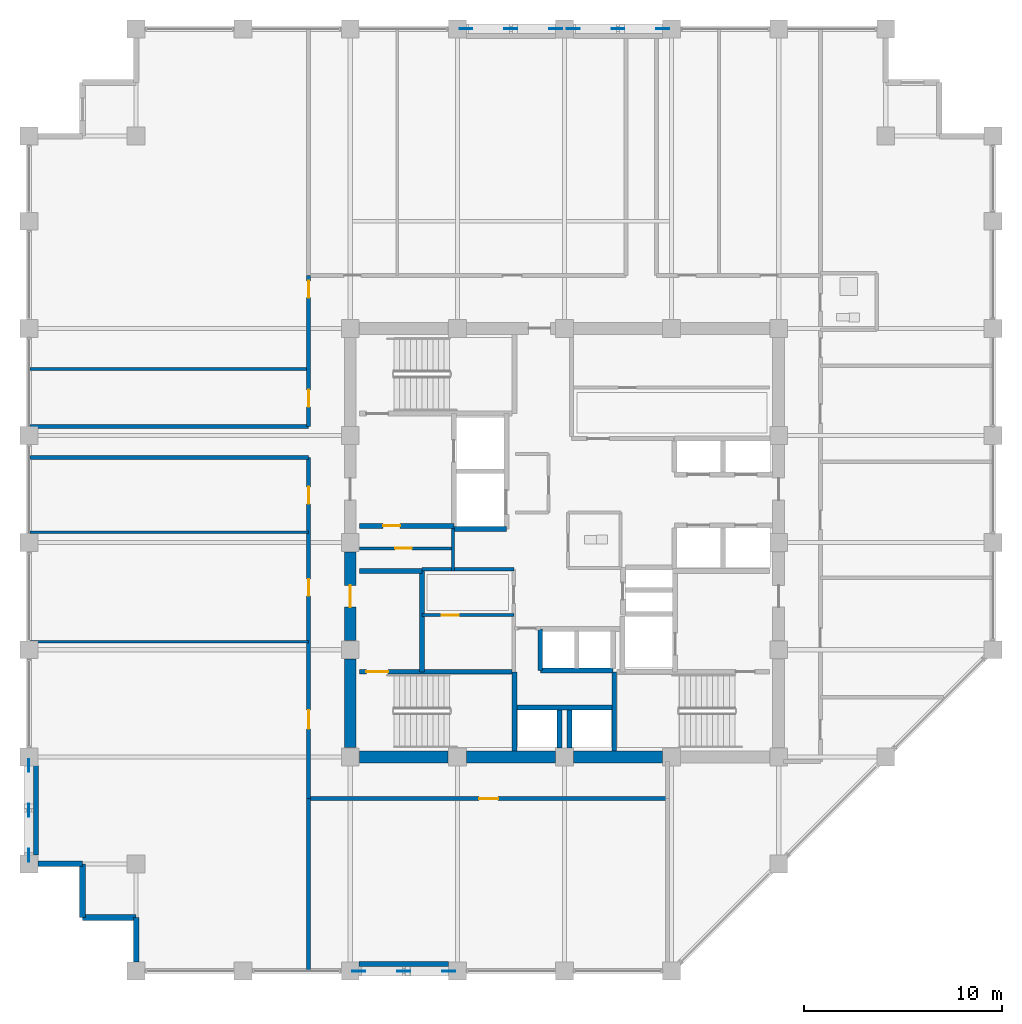
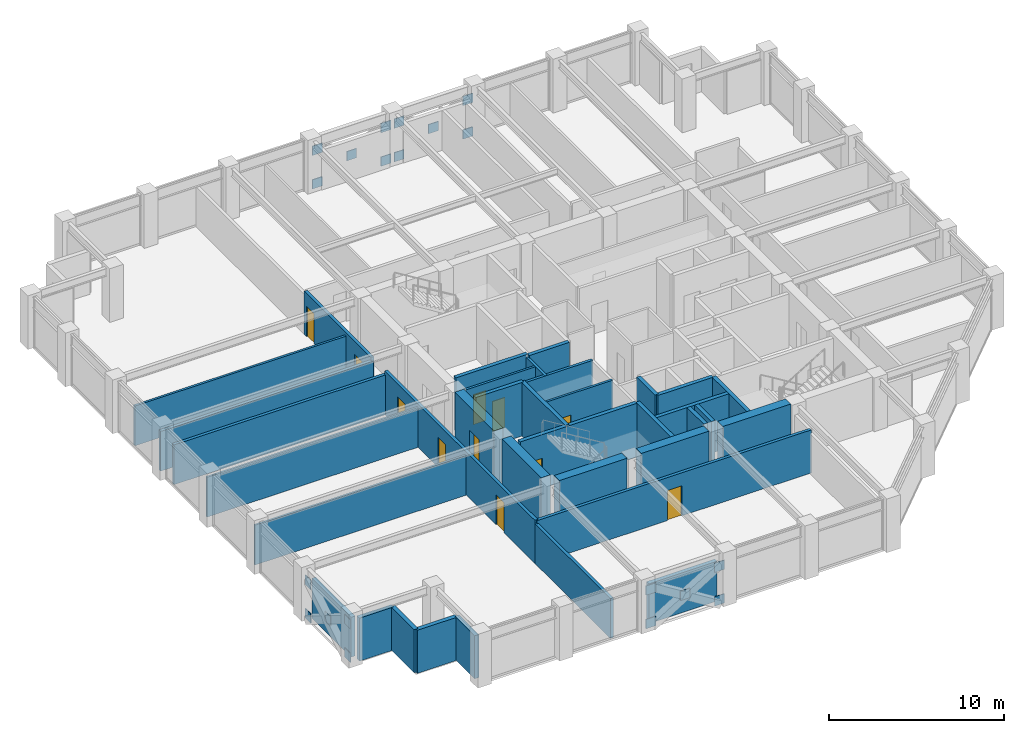
# One storey, part 27 of 32: 36 walls, 20 plates, 11 doors, 11 openings.
"""IFC4 building model written with IfcOpenShell, lengths in metres."""

import ifcopenshell
import ifcopenshell.guid

model = None  # the IFC model being written
_history = None  # IfcOwnerHistory: only IFC2X3 demands one
_inside = {}  # id of a spatial element -> (the spatial element, [elements in it])
_under = {}  # id of a project, library or spatial element -> (it, [spatial elements below it])
_declared = {}  # id of a project -> (the project, [libraries it declares])
_typed = {}  # id of a type object -> (the type object, [elements of that type])
_made_of = {}  # id of a material, layer set ... -> (it, [elements and type objects made of it])


def new_model(schema):
    """Start an empty IFC model of exactly this schema.

    Asked for "IFC4X3", IfcOpenShell would pick the latest addendum, in which some entities
    have other attributes; the version numbers below select the first issue.
    IFC2X3 requires an IfcOwnerHistory on every rooted entity: one is made here for all.
    """
    global model, _history
    if schema == "IFC4X3":
        model = ifcopenshell.file(schema_version=(4, 3, 0, 0))
    else:
        model = ifcopenshell.file(schema=schema)
    _inside.clear()
    _under.clear()
    _declared.clear()
    _typed.clear()
    _made_of.clear()
    _history = None
    if model.schema == "IFC2X3":
        org = make("IfcOrganization", Name="unknown")
        user = make(
            "IfcPersonAndOrganization",
            ThePerson=make("IfcPerson", FamilyName="unknown"),
            TheOrganization=org,
        )
        app = make(
            "IfcApplication",
            ApplicationDeveloper=org,
            Version="unknown",
            ApplicationFullName="unknown",
            ApplicationIdentifier="unknown",
        )
        _history = make(
            "IfcOwnerHistory",
            OwningUser=user,
            OwningApplication=app,
            ChangeAction="ADDED",
            CreationDate=0,
        )
    return model


def make(cls, **values):
    """One entity of the class cls with the attributes given. An attribute that is None is left unset."""
    return model.create_entity(
        cls, **{name: value for name, value in values.items() if value is not None}
    )


def rooted(cls, **values):
    """An entity with a GlobalId (a new one), such as an element, a storey or a relation."""
    return make(cls, GlobalId=ifcopenshell.guid.new(), OwnerHistory=_history, **values)


def si_unit(unit_type, name, prefix=None):
    """IfcSIUnit, for example si_unit("LENGTHUNIT", "METRE", prefix="MILLI")."""
    return make("IfcSIUnit", UnitType=unit_type, Prefix=prefix, Name=name)


def assignment(units):
    """IfcUnitAssignment: the units of a project."""
    return None if units is None else make("IfcUnitAssignment", Units=units)


def point(xyz):
    """IfcCartesianPoint."""
    return None if xyz is None else make("IfcCartesianPoint", Coordinates=xyz)


def direction(xyz):
    """IfcDirection."""
    return None if xyz is None else make("IfcDirection", DirectionRatios=xyz)


def frame(location, z_axis=None, x_axis=None):
    """IfcAxis2Placement3D, a coordinate frame: its origin and axes. An axis left out is left unset."""
    return make(
        "IfcAxis2Placement3D",
        Location=point(location),
        Axis=direction(z_axis),
        RefDirection=direction(x_axis),
    )


def frame_2d(location, x_axis=None):
    """IfcAxis2Placement2D, a coordinate frame in the plane: its origin and x axis."""
    return make(
        "IfcAxis2Placement2D", Location=point(location), RefDirection=direction(x_axis)
    )


def origin():
    """The frame at (0, 0, 0) with its axes left unset."""
    return frame((0.0, 0.0, 0.0))


def origin_2d():
    """The frame at (0, 0) in the plane with its x axis left unset."""
    return frame_2d((0.0, 0.0))


def place(relative_to, where):
    """IfcLocalPlacement: puts the frame where relative to a parent placement (None: the world)."""
    return make(
        "IfcLocalPlacement", PlacementRelTo=relative_to, RelativePlacement=where
    )


def context(
    kind, dimensions, precision=None, world=None, true_north=None, identifier=None
):
    """IfcGeometricRepresentationContext, for example the 3D "Model" context."""
    return make(
        "IfcGeometricRepresentationContext",
        ContextIdentifier=identifier,
        ContextType=kind,
        CoordinateSpaceDimension=dimensions,
        Precision=precision,
        WorldCoordinateSystem=world,
        TrueNorth=true_north,
    )


def subcontext(parent, identifier, kind, view, scale=None):
    """IfcGeometricRepresentationSubContext, for example "Body" below "Model"."""
    return make(
        "IfcGeometricRepresentationSubContext",
        ContextIdentifier=identifier,
        ContextType=kind,
        ParentContext=parent,
        TargetScale=scale,
        TargetView=view,
    )


def project(units=None, contexts=None):
    """IfcProject with its units and contexts."""
    return rooted(
        "IfcProject",
        Name="project",
        RepresentationContexts=contexts,
        UnitsInContext=assignment(units),
    )


def spatial(cls, under=None, at=None, **own):
    """A site, building, storey or space (cls), placed at a placement, below another one or the project."""
    s = rooted(cls, ObjectPlacement=at, **own)
    if under is not None:
        _under.setdefault(under.id(), (under, []))[1].append(s)
    return s


def profile(cls, at=None, kind="AREA", **sizes):
    """A parametric profile (cls). Its sizes go by their IFC names, for example OverallWidth=200.0."""
    return make(cls, ProfileType=kind, Position=at, **sizes)


def rectangle(**sizes):
    """IfcRectangleProfileDef."""
    return profile("IfcRectangleProfileDef", **sizes)


def extrude(swept, where, along, depth):
    """IfcExtrudedAreaSolid: the profile swept, set in the frame where, extruded along a direction by depth."""
    return make(
        "IfcExtrudedAreaSolid",
        SweptArea=swept,
        Position=where,
        ExtrudedDirection=direction(along),
        Depth=depth,
    )


def shape(context_of_items, identifier, shape_type, items):
    """IfcShapeRepresentation: the items that make up one representation, for example the "Body"."""
    return make(
        "IfcShapeRepresentation",
        ContextOfItems=context_of_items,
        RepresentationIdentifier=identifier,
        RepresentationType=shape_type,
        Items=items,
    )


def material(Name=None, Category=None):
    """IfcMaterial."""
    return make("IfcMaterial", Name=Name, Category=Category)


def layer(
    of_material, thickness, ventilated=None, Name=None, Category=None, Priority=None
):
    """IfcMaterialLayer: one layer of a wall or slab, of a material (None: an air gap)."""
    return make(
        "IfcMaterialLayer",
        Material=of_material,
        LayerThickness=thickness,
        IsVentilated=ventilated,
        Name=Name,
        Category=Category,
        Priority=Priority,
    )


def layer_set(layers, Name=None):
    """IfcMaterialLayerSet."""
    return make("IfcMaterialLayerSet", MaterialLayers=layers, LayerSetName=Name)


def made_of(thing, what):
    """Note that an element or type object is made of a material, layer set ...; save() writes the relation."""
    if what is not None:
        _made_of.setdefault(what.id(), (what, []))[1].append(thing)
    return thing


def type_object(cls, material=None, **own):
    """A type object (cls), such as IfcWallType, which elements share."""
    return made_of(rooted(cls, **own), material)


def element(
    cls,
    number,
    at=None,
    inside=None,
    cuts=None,
    type_object=None,
    material=None,
    context=None,
    identifier="Body",
    shape_type=None,
    held_by="IfcProductDefinitionShape",
    body=None,
    shapes=None,
    **own,
):
    """One element of the class cls, such as IfcWall. Its Tag is "e" and its number.

    at: its placement. inside: the storey or other place that contains it. cuts: it is an
    opening in that element (IfcRelVoidsElement). A single representation is given by context,
    identifier, shape_type and body (its items); several are given by shapes. held_by: the class
    of the entity that holds the representations. save() writes the other relations.
    """
    e = rooted(cls, Tag="e%d" % number, ObjectPlacement=at, **own)
    if body is not None:
        shapes = [shape(context, identifier, shape_type, body)]
    if shapes is not None:
        e.Representation = make(held_by, Representations=shapes)
    if inside is not None:
        _inside.setdefault(inside.id(), (inside, []))[1].append(e)
    if cuts is not None:
        rooted(
            "IfcRelVoidsElement", RelatingBuildingElement=cuts, RelatedOpeningElement=e
        )
    if type_object is not None:
        _typed.setdefault(type_object.id(), (type_object, []))[1].append(e)
    return made_of(e, material)


def fill(opening, filler):
    """IfcRelFillsElement: the door or window that sits in an opening."""
    return rooted(
        "IfcRelFillsElement",
        RelatingOpeningElement=opening,
        RelatedBuildingElement=filler,
    )


def aggregate(whole, parts):
    """IfcRelAggregates: a whole, such as a stair, and the parts it consists of."""
    return rooted("IfcRelAggregates", RelatingObject=whole, RelatedObjects=parts)


def save(model, path):
    """Write the relations noted so far, then the file.

    IfcRelAggregates (storeys below a building ...), IfcRelContainedInSpatialStructure (elements
    in a storey), IfcRelDefinesByType, IfcRelAssociatesMaterial and IfcRelDeclares: one each for
    every whole, place, type object, material and project.
    """
    for whole, parts in _under.values():
        aggregate(whole, parts)
    for where, things in _inside.values():
        rooted(
            "IfcRelContainedInSpatialStructure",
            RelatedElements=things,
            RelatingStructure=where,
        )
    for kind, things in _typed.values():
        rooted("IfcRelDefinesByType", RelatedObjects=things, RelatingType=kind)
    for what, things in _made_of.values():
        rooted("IfcRelAssociatesMaterial", RelatedObjects=things, RelatingMaterial=what)
    for by, libraries in _declared.values():
        rooted("IfcRelDeclares", RelatingContext=by, RelatedDefinitions=libraries)
    model.write(path)


model = new_model("IFC4")

# Units and contexts
model_context = context("Model", 3, precision=1e-05, world=origin(), true_north=direction((0.0, 1.0)))
body_context = subcontext(model_context, "Body", "Model", "MODEL_VIEW")
ifc_project = project(units=[si_unit("LENGTHUNIT", "METRE"), si_unit("AREAUNIT", "SQUARE_METRE"), si_unit("VOLUMEUNIT", "CUBIC_METRE"), si_unit("PLANEANGLEUNIT", "RADIAN"), si_unit("MASSUNIT", "GRAM", prefix="KILO")], contexts=[model_context])

# Site, building, storey
site_placement = place(None, origin())
site = spatial("IfcSite", under=ifc_project, at=site_placement, CompositionType="ELEMENT")
building_placement = place(site_placement, origin())
building = spatial("IfcBuilding", under=site, at=building_placement, Name="Surkhivell Harbour Commons", CompositionType="ELEMENT")
storey_placement = place(building_placement, frame((0.0, 0.0, 197.25)))
storey = spatial("IfcBuildingStorey", under=building, at=storey_placement, Name="L51", CompositionType="ELEMENT", Elevation=197.25)

# Plates
ifc_material_1 = material(Name="Steel S460", Category="steel")
ifc_layer_1 = layer(ifc_material_1, 0.044921875)
ifc_layer_set_1 = layer_set([ifc_layer_1], Name="Steel S460")
plate_type = type_object("IfcPlateType", Name="PLT-GUS-650", PredefinedType="USERDEFINED", material=ifc_layer_set_1)
for number, where, z_axis, x_axis, name in (
    (1, (-4.965087890625, 25.89990234375, -0.08935546875), (0.0, 0.0, 1.0), (1.0, 0.0, 0.0), "L51 Perimeter Mega-Brace MB- Corner Gusset N-1"),
    (2, (-0.43505859375, 25.89990234375, -0.08935546875), (0.0, 0.0, 1.0), (1.0, 0.0, 0.0), "L51 Perimeter Mega-Brace MB- Corner Gusset N-2"),
    (3, (-4.965087890625, 25.89990234375, 2.25146484375), (0.0, 0.0, 1.0), (1.0, 0.0, 0.0), "L51 Perimeter Mega-Brace MB- Corner Gusset N-3"),
    (4, (-0.43505859375, 25.89990234375, 2.25146484375), (0.0, 0.0, 1.0), (1.0, 0.0, 0.0), "L51 Perimeter Mega-Brace MB- Corner Gusset N-4"),
    (5, (-2.699951171875, 25.89990234375, 1.0810546875), (0.0, 0.0, 1.0), (1.0, 0.0, 0.0), "L51 Perimeter Mega-Brace MB- Central Crossing Gusset N"),
    (6, (0.43505859375, 25.89990234375, -0.08935546875), (0.0, 0.0, 1.0), (1.0, 0.0, 0.0), "L51 Perimeter Mega-Brace MB- Corner Gusset N2-1"),
    (7, (4.965087890625, 25.89990234375, -0.08935546875), (0.0, 0.0, 1.0), (1.0, 0.0, 0.0), "L51 Perimeter Mega-Brace MB- Corner Gusset N2-2"),
    (8, (0.43505859375, 25.89990234375, 2.25146484375), (0.0, 0.0, 1.0), (1.0, 0.0, 0.0), "L51 Perimeter Mega-Brace MB- Corner Gusset N2-3"),
    (9, (4.965087890625, 25.89990234375, 2.25146484375), (0.0, 0.0, 1.0), (1.0, 0.0, 0.0), "L51 Perimeter Mega-Brace MB- Corner Gusset N2-4"),
    (10, (2.699951171875, 25.89990234375, 1.0810546875), (0.0, 0.0, 1.0), (1.0, 0.0, 0.0), "L51 Perimeter Mega-Brace MB- Central Crossing Gusset N2"),
    (11, (-10.364990234375, -21.60009765625, -0.08935546875), (0.0, 0.0, 1.0), (1.0, 0.0, 0.0), "L51 Perimeter Mega-Brace MB- Corner Gusset S-1"),
    (12, (-5.8349609375, -21.60009765625, -0.08935546875), (0.0, 0.0, 1.0), (1.0, 0.0, 0.0), "L51 Perimeter Mega-Brace MB- Corner Gusset S-2"),
    (13, (-10.364990234375, -21.60009765625, 2.25146484375), (0.0, 0.0, 1.0), (1.0, 0.0, 0.0), "L51 Perimeter Mega-Brace MB- Corner Gusset S-3"),
    (14, (-5.8349609375, -21.60009765625, 2.25146484375), (0.0, 0.0, 1.0), (1.0, 0.0, 0.0), "L51 Perimeter Mega-Brace MB- Corner Gusset S-4"),
    (15, (-8.10009765625, -21.60009765625, 1.0810546875), (0.0, 0.0, 1.0), (1.0, 0.0, 0.0), "L51 Perimeter Mega-Brace MB- Central Crossing Gusset S"),
    (16, (-27.0, -15.764892578125, -0.08935546875), (0.0, 0.0, 1.0), (0.0, 1.0, 0.0), "L51 Perimeter Mega-Brace MB- Corner Gusset W-1"),
    (17, (-27.0, -11.235107421875, -0.08935546875), (0.0, 0.0, 1.0), (0.0, 1.0, 0.0), "L51 Perimeter Mega-Brace MB- Corner Gusset W-2"),
    (18, (-27.0, -15.764892578125, 2.25146484375), (0.0, 0.0, 1.0), (0.0, 1.0, 0.0), "L51 Perimeter Mega-Brace MB- Corner Gusset W-3"),
    (19, (-27.0, -11.235107421875, 2.25146484375), (0.0, 0.0, 1.0), (0.0, 1.0, 0.0), "L51 Perimeter Mega-Brace MB- Corner Gusset W-4"),
    (20, (-27.0, -13.5, 1.0810546875), (0.0, 0.0, 1.0), (0.0, 1.0, 0.0), "L51 Perimeter Mega-Brace MB- Central Crossing Gusset W"),
):
    element("IfcPlate", number, at=place(storey_placement, frame(where, z_axis=z_axis, x_axis=x_axis)), inside=storey, type_object=plate_type, Name=name, ObjectType="GUSSET_PLATE", PredefinedType="USERDEFINED", context=body_context, shape_type="SweptSolid", body=[
        extrude(rectangle(XDim=0.64990234375, YDim=0.044921875, at=origin_2d()), origin(), (0.0, 0.0, 1.0), 0.64990234375),
    ])

# Walls
ifc_material_2 = material(Name="Concrete C60/75", Category="concrete")
ifc_layer_2 = layer(ifc_material_2, 0.60009765625)
ifc_layer_set_2 = layer_set([ifc_layer_2], Name="Concrete C60/75")
wall_type_1 = type_object("IfcWallType", Name="WAL-CORE-600", PredefinedType="SHEAR", material=ifc_layer_set_2)
for number, where, z_axis, x_axis, name in (
    (21, (-10.340087890625, -10.800048828125, 0.0), (0.0, 0.0, 1.0), (1.0, 0.0, 0.0), "L51 Core Shear Wall South 1"),
    (22, (-10.800048828125, -10.340087890625, 0.0), (0.0, 0.0, 1.0), (0.0, 1.0, 0.0), "L51 Core Shear Wall West 1"),
    (23, (-4.93994140625, -10.800048828125, 0.0), (0.0, 0.0, 1.0), (1.0, 0.0, 0.0), "L51 Core Shear Wall South 2"),
):
    element("IfcWall", number, at=place(storey_placement, frame(where, z_axis=z_axis, x_axis=x_axis)), inside=storey, type_object=wall_type_1, Name=name, PredefinedType="SHEAR", context=body_context, shape_type="SweptSolid", body=[
        extrude(rectangle(XDim=4.47998046875, YDim=0.60009765625, at=frame_2d((2.239990234375, 0.0))), origin(), (0.0, 0.0, 1.0), 3.75),
    ])

# Wall, opening, door
wall_1_placement = place(storey_placement, frame((-10.800048828125, -4.93994140625, 0.0), z_axis=(0.0, 0.0, 1.0), x_axis=(0.0, 1.0, 0.0)))
wall_1 = element("IfcWall", 24, at=wall_1_placement, inside=storey, type_object=wall_type_1, Name="L51 Core Shear Wall West 2", PredefinedType="SHEAR", context=body_context, shape_type="SweptSolid", body=[
    extrude(rectangle(XDim=4.47998046875, YDim=0.60009765625, at=frame_2d((2.239990234375, 0.0))), origin(), (0.0, 0.0, 1.0), 3.75),
])
opening_1_placement = place(wall_1_placement, frame((1.68994140625, 0.0, 0.0)))
opening_1 = element("IfcOpeningElement", 25, at=opening_1_placement, cuts=wall_1, Name="Opening ID-2", PredefinedType="OPENING", context=body_context, shape_type="SweptSolid", body=[
    extrude(rectangle(XDim=1.10009765625, YDim=2.10009765625, at=frame_2d((0.550048828125, 1.050048828125))), frame((0.0, 0.31005859375, 0.0), z_axis=(0.0, -1.0, 0.0), x_axis=(1.0, 0.0, 0.0)), (0.0, 0.0, 1.0), 0.6201171875),
])
ifc_material_3 = material(Name="Hardwood-veneered fire-rated door leaf", Category="wood")
door_type_1 = type_object("IfcDoorType", Name="DOR-FD60-1100", OperationType="NOTDEFINED", PredefinedType="DOOR", material=ifc_material_3)
door_1_placement = place(opening_1_placement, origin())
door_1 = element("IfcDoor", 26, at=door_1_placement, inside=storey, type_object=door_type_1, Name="L51 Stair 3 Lobby Corridor Door", OperationType="SINGLE_SWING_LEFT", OverallHeight=2.10009765625, OverallWidth=1.10009765625, PredefinedType="DOOR", context=body_context, shape_type="SweptSolid", body=[
    extrude(rectangle(XDim=1.10009765625, YDim=2.10009765625, at=frame_2d((0.550048828125, 1.050048828125))), frame((0.0, 0.02490234375, 0.0), z_axis=(0.0, -1.0, 0.0), x_axis=(1.0, 0.0, 0.0)), (0.0, 0.0, 1.0), 0.050048828125),
])
fill(opening_1, door_1)

# Walls
wall_2_placement = place(storey_placement, frame((0.4599609375, -10.800048828125, 0.0), z_axis=(0.0, 0.0, 1.0), x_axis=(1.0, 0.0, 0.0)))
element("IfcWall", 27, at=wall_2_placement, inside=storey, type_object=wall_type_1, Name="L51 Core Shear Wall South 3", PredefinedType="SHEAR", context=body_context, shape_type="SweptSolid", body=[
    extrude(rectangle(XDim=4.47998046875, YDim=0.60009765625, at=frame_2d((2.239990234375, 0.0))), origin(), (0.0, 0.0, 1.0), 3.75),
])
ifc_material_4 = material(Name="Pale-metal insulated precast concrete C45/55", Category="concrete")
ifc_layer_3 = layer(ifc_material_4, 0.260009765625)
ifc_layer_set_3 = layer_set([ifc_layer_3], Name="Pale-metal insulated precast concrete C45/55")
wall_type_2 = type_object("IfcWallType", Name="WAL-EXT-MTL260", PredefinedType="STANDARD", material=ifc_layer_set_3)
wall_3_placement = place(storey_placement, frame((-10.35205078125, -21.239990234375, 0.0), z_axis=(0.0, 0.0, 1.0), x_axis=(1.0, 0.0, 0.0)))
element("IfcWall", 28, at=wall_3_placement, inside=storey, type_object=wall_type_2, Name="L51 Braced-Bay Insulated Spandrel Backing S", PredefinedType="STANDARD", context=body_context, shape_type="SweptSolid", body=[
    extrude(rectangle(XDim=4.504150390625, YDim=0.260009765625, at=frame_2d((2.251953125, 0.0))), origin(), (0.0, 0.0, 1.0), 2.780029296875),
])
wall_4_placement = place(storey_placement, frame((-26.639892578125, -11.248046875, 0.0), z_axis=(0.0, 0.0, 1.0), x_axis=(0.0, -1.0, 0.0)))
element("IfcWall", 29, at=wall_4_placement, inside=storey, type_object=wall_type_2, Name="L51 Braced-Bay Insulated Spandrel Backing W", PredefinedType="STANDARD", context=body_context, shape_type="SweptSolid", body=[
    extrude(rectangle(XDim=4.50390625, YDim=0.260009765625, at=frame_2d((2.251953125, 0.0))), origin(), (0.0, 0.0, 1.0), 2.780029296875),
])
ifc_material_5 = material(Name="Terracotta-clad reinforced concrete C45/55", Category="masonry")
ifc_layer_4 = layer(ifc_material_5, 0.280029296875)
ifc_layer_set_4 = layer_set([ifc_layer_4], Name="Terracotta-clad reinforced concrete C45/55")
wall_type_3 = type_object("IfcWallType", Name="WAL-EXT-TER280", PredefinedType="STANDARD", material=ifc_layer_set_4)
wall_5_placement = place(storey_placement, frame((-26.552001953125, -16.199951171875, 0.0), z_axis=(0.0, 0.0, 1.0), x_axis=(1.0, 0.0, 0.0)))
element("IfcWall", 30, at=wall_5_placement, inside=storey, type_object=wall_type_3, Name="L51 Serrated Corner Facade Wall 13", PredefinedType="STANDARD", context=body_context, shape_type="SweptSolid", body=[
    extrude(rectangle(XDim=2.251953125, YDim=0.280029296875, at=frame_2d((1.1259765625, 0.0))), origin(), (0.0, 0.0, 1.0), 3.006103515625),
])
for number, where, z_axis, x_axis, name in (
    (31, (-24.300048828125, -16.199951171875, 0.0), (0.0, 0.0, 1.0), (0.0, -1.0, 0.0), "L51 Serrated Corner Facade Wall 14"),
    (32, (-24.300048828125, -18.89990234375, 0.0), (0.0, 0.0, 1.0), (1.0, 0.0, 0.0), "L51 Serrated Corner Facade Wall 15"),
):
    element("IfcWall", number, at=place(storey_placement, frame(where, z_axis=z_axis, x_axis=x_axis)), inside=storey, type_object=wall_type_3, Name=name, PredefinedType="STANDARD", context=body_context, shape_type="SweptSolid", body=[
        extrude(rectangle(XDim=2.699951171875, YDim=0.280029296875, at=frame_2d((1.35009765625, 0.0))), origin(), (0.0, 0.0, 1.0), 3.006103515625),
    ])
wall_6_placement = place(storey_placement, frame((-21.60009765625, -18.89990234375, 0.0), z_axis=(0.0, 0.0, 1.0), x_axis=(0.0, -1.0, 0.0)))
element("IfcWall", 33, at=wall_6_placement, inside=storey, type_object=wall_type_3, Name="L51 Serrated Corner Facade Wall 16", PredefinedType="STANDARD", context=body_context, shape_type="SweptSolid", body=[
    extrude(rectangle(XDim=2.252197265625, YDim=0.280029296875, at=frame_2d((1.1259765625, 0.0))), origin(), (0.0, 0.0, 1.0), 3.006103515625),
])
ifc_material_6 = material(Name="Moisture-resistant acoustic stud partition", Category="other")
ifc_layer_5 = layer(ifc_material_6, 0.125)
ifc_layer_set_5 = layer_set([ifc_layer_5], Name="Moisture-resistant acoustic stud partition")
wall_type_4 = type_object("IfcWallType", Name="WAL-INT-125", PredefinedType="PARTITIONING", material=ifc_layer_set_5)
for number, where, z_axis, x_axis, name in (
    (34, (-26.93994140625, -4.989990234375, 0.0), (0.0, 0.0, 1.0), (1.0, 0.0, 0.0), "L51 South-West Partition P1"),
    (35, (-26.93994140625, 0.52001953125, 0.0), (0.0, 0.0, 1.0), (1.0, 0.0, 0.0), "L51 South-West Partition P2"),
):
    element("IfcWall", number, at=place(storey_placement, frame(where, z_axis=z_axis, x_axis=x_axis)), inside=storey, type_object=wall_type_4, Name=name, PredefinedType="PARTITIONING", context=body_context, shape_type="SweptSolid", body=[
        extrude(rectangle(XDim=14.0400390625, YDim=0.125, at=frame_2d((7.02001953125, 0.0))), origin(), (0.0, 0.0, 1.0), 2.780029296875),
    ])

# Wall, opening, door
ifc_material_7 = material(Name="Twin-stud acoustic fireboard partition", Category="other")
ifc_layer_6 = layer(ifc_material_7, 0.14990234375)
ifc_layer_set_6 = layer_set([ifc_layer_6], Name="Twin-stud acoustic fireboard partition")
wall_type_5 = type_object("IfcWallType", Name="WAL-INT-150", PredefinedType="PARTITIONING", material=ifc_layer_set_6)
wall_7_placement = place(storey_placement, frame((-7.179931640625, -3.64990234375, 0.0), z_axis=(0.0, 0.0, 1.0), x_axis=(1.0, 0.0, 0.0)))
wall_7 = element("IfcWall", 36, at=wall_7_placement, inside=storey, type_object=wall_type_5, Name="L51 Core Cut C1 Partition", PredefinedType="PARTITIONING", context=body_context, shape_type="SweptSolid", body=[
    extrude(rectangle(XDim=4.6298828125, YDim=0.14990234375, at=frame_2d((2.31494140625, 0.0))), origin(), (0.0, 0.0, 1.0), 3.570068359375),
])
opening_2_placement = place(wall_7_placement, frame((1.0, 0.0, 0.0)))
opening_2 = element("IfcOpeningElement", 37, at=opening_2_placement, cuts=wall_7, Name="Opening ID-6", PredefinedType="OPENING", context=body_context, shape_type="SweptSolid", body=[
    extrude(rectangle(XDim=0.85009765625, YDim=2.10009765625, at=frame_2d((0.425048828125, 1.050048828125))), frame((0.0, 0.0849609375, 0.0), z_axis=(0.0, -1.0, 0.0), x_axis=(1.0, 0.0, 0.0)), (0.0, 0.0, 1.0), 0.169921875),
])
door_type_2 = type_object("IfcDoorType", Name="DOR-FD30-850", OperationType="NOTDEFINED", PredefinedType="DOOR", material=ifc_material_3)
door_2_placement = place(opening_2_placement, origin())
door_2 = element("IfcDoor", 38, at=door_2_placement, inside=storey, type_object=door_type_2, Name="L51 Cleaner Room Door", OperationType="SINGLE_SWING_LEFT", OverallHeight=2.10009765625, OverallWidth=0.85009765625, PredefinedType="DOOR", context=body_context, shape_type="SweptSolid", body=[
    extrude(rectangle(XDim=0.85009765625, YDim=2.10009765625, at=frame_2d((0.425048828125, 1.050048828125))), frame((0.0, 0.02490234375, 0.0), z_axis=(0.0, -1.0, 0.0), x_axis=(1.0, 0.0, 0.0)), (0.0, 0.0, 1.0), 0.050048828125),
])
fill(opening_2, door_2)

wall_8_placement = place(storey_placement, frame((-10.340087890625, -0.2900390625, 0.0), z_axis=(0.0, 0.0, 1.0), x_axis=(1.0, 0.0, 0.0)))
wall_8 = element("IfcWall", 39, at=wall_8_placement, inside=storey, type_object=wall_type_5, Name="L51 West Core Horizontal Cut", PredefinedType="PARTITIONING", context=body_context, shape_type="SweptSolid", body=[
    extrude(rectangle(XDim=4.719970703125, YDim=0.14990234375, at=frame_2d((2.35986328125, 0.0))), origin(), (0.0, 0.0, 1.0), 3.570068359375),
])
opening_3_placement = place(wall_8_placement, frame((1.800048828125, 0.0, 0.0)))
opening_3 = element("IfcOpeningElement", 40, at=opening_3_placement, cuts=wall_8, Name="Opening ID-6", PredefinedType="OPENING", context=body_context, shape_type="SweptSolid", body=[
    extrude(rectangle(XDim=0.85009765625, YDim=2.10009765625, at=frame_2d((0.425048828125, 1.050048828125))), frame((0.0, 0.0849609375, 0.0), z_axis=(0.0, -1.0, 0.0), x_axis=(1.0, 0.0, 0.0)), (0.0, 0.0, 1.0), 0.169921875),
])
door_3_placement = place(opening_3_placement, origin())
door_3 = element("IfcDoor", 41, at=door_3_placement, inside=storey, type_object=door_type_2, Name="L51 West Music Pod Door", OperationType="SINGLE_SWING_RIGHT", OverallHeight=2.10009765625, OverallWidth=0.85009765625, PredefinedType="DOOR", context=body_context, shape_type="SweptSolid", body=[
    extrude(rectangle(XDim=0.85009765625, YDim=2.10009765625, at=frame_2d((0.425048828125, 1.050048828125))), frame((0.0, 0.02490234375, 0.0), z_axis=(0.0, -1.0, 0.0), x_axis=(1.0, 0.0, 0.0)), (0.0, 0.0, 1.0), 0.050048828125),
])
fill(opening_3, door_3)

# Walls
wall_9_placement = place(storey_placement, frame((-26.93994140625, 8.75, 0.0), z_axis=(0.0, 0.0, 1.0), x_axis=(1.0, 0.0, 0.0)))
element("IfcWall", 42, at=wall_9_placement, inside=storey, type_object=wall_type_5, Name="L51 North-West Partition P1", PredefinedType="PARTITIONING", context=body_context, shape_type="SweptSolid", body=[
    extrude(rectangle(XDim=14.0400390625, YDim=0.14990234375, at=frame_2d((7.02001953125, 0.0))), origin(), (0.0, 0.0, 1.0), 2.780029296875),
])
ifc_material_8 = material(Name="High-density acoustic blockwork fire partition", Category="masonry")
ifc_layer_7 = layer(ifc_material_8, 0.175048828125)
ifc_layer_set_7 = layer_set([ifc_layer_7], Name="High-density acoustic blockwork fire partition")
wall_type_6 = type_object("IfcWallType", Name="WAL-INT-175", PredefinedType="PARTITIONING", material=ifc_layer_set_7)
wall_10_placement = place(storey_placement, frame((-7.179931640625, -1.35009765625, 0.0), z_axis=(0.0, 0.0, 1.0), x_axis=(1.0, 0.0, 0.0)))
element("IfcWall", 43, at=wall_10_placement, inside=storey, type_object=wall_type_6, Name="L51 Core Service Bay North Wall", PredefinedType="PARTITIONING", context=body_context, shape_type="SweptSolid", body=[
    extrude(rectangle(XDim=4.6298828125, YDim=0.175048828125, at=frame_2d((2.31494140625, 0.0))), origin(), (0.0, 0.0, 1.0), 3.570068359375),
])
wall_11_placement = place(storey_placement, frame((-5.6201171875, -1.419921875, 0.0), z_axis=(0.0, 0.0, 1.0), x_axis=(0.0, 1.0, 0.0)))
element("IfcWall", 44, at=wall_11_placement, inside=storey, type_object=wall_type_6, Name="L51 West Core Bay East Wall", PredefinedType="PARTITIONING", context=body_context, shape_type="SweptSolid", body=[
    extrude(rectangle(XDim=2.139892578125, YDim=0.175048828125, at=frame_2d((1.06982421875, 0.0))), origin(), (0.0, 0.0, 1.0), 3.570068359375),
])
ifc_material_9 = material(Name="Autoclaved aerated concrete blockwork and fire plaster", Category="masonry")
ifc_layer_8 = layer(ifc_material_9, 0.199951171875)
ifc_layer_set_8 = layer_set([ifc_layer_8], Name="Autoclaved aerated concrete blockwork and fire plaster")
wall_type_7 = type_object("IfcWallType", Name="WAL-INT-200", PredefinedType="PARTITIONING", material=ifc_layer_set_8)
wall_12_placement = place(storey_placement, frame((-12.89990234375, -21.5400390625, 0.0), z_axis=(0.0, 0.0, 1.0), x_axis=(0.0, 1.0, 0.0)))
element("IfcWall", 45, at=wall_12_placement, inside=storey, type_object=wall_type_7, Name="L51 South-West Corner Wall", PredefinedType="PARTITIONING", context=body_context, shape_type="SweptSolid", body=[
    extrude(rectangle(XDim=8.64013671875, YDim=0.199951171875, at=frame_2d((4.320068359375, 0.0))), origin(), (0.0, 0.0, 1.0), 2.780029296875),
])

# Wall, opening, door
wall_13_placement = place(storey_placement, frame((-12.89990234375, -12.89990234375, 0.0), z_axis=(0.0, 0.0, 1.0), x_axis=(1.0, 0.0, 0.0)))
wall_13 = element("IfcWall", 46, at=wall_13_placement, inside=storey, type_object=wall_type_7, Name="L51 Corridor South Wall", PredefinedType="PARTITIONING", context=body_context, shape_type="SweptSolid", body=[
    extrude(rectangle(XDim=18.099853515625, YDim=0.199951171875, at=frame_2d((9.0498046875, 0.0))), origin(), (0.0, 0.0, 1.0), 3.006103515625),
])
opening_4_placement = place(wall_13_placement, frame((8.60009765625, 0.0, 0.0)))
opening_4 = element("IfcOpeningElement", 47, at=opening_4_placement, cuts=wall_13, Name="Opening ID-4", PredefinedType="OPENING", context=body_context, shape_type="SweptSolid", body=[
    extrude(rectangle(XDim=0.949951171875, YDim=2.10009765625, at=frame_2d((0.47509765625, 1.050048828125))), frame((0.0, 0.10986328125, 0.0), z_axis=(0.0, -1.0, 0.0), x_axis=(1.0, 0.0, 0.0)), (0.0, 0.0, 1.0), 0.219970703125),
])
door_type_3 = type_object("IfcDoorType", Name="DOR-FD60-950", OperationType="NOTDEFINED", PredefinedType="DOOR", material=ifc_material_3)
door_4_placement = place(opening_4_placement, origin())
door_4 = element("IfcDoor", 48, at=door_4_placement, inside=storey, type_object=door_type_3, Name="L51 Harbour Social Lounge South Door", OperationType="SINGLE_SWING_LEFT", OverallHeight=2.10009765625, OverallWidth=0.949951171875, PredefinedType="DOOR", context=body_context, shape_type="SweptSolid", body=[
    extrude(rectangle(XDim=0.949951171875, YDim=2.10009765625, at=frame_2d((0.47509765625, 1.050048828125))), frame((0.0, 0.02490234375, 0.0), z_axis=(0.0, -1.0, 0.0), x_axis=(1.0, 0.0, 0.0)), (0.0, 0.0, 1.0), 0.050048828125),
])
fill(opening_4, door_4)

# Walls
for number, where, z_axis, x_axis, name in (
    (49, (-26.93994140625, 5.85009765625, 0.0), (0.0, 0.0, 1.0), (1.0, 0.0, 0.0), "L51 West Spur North Wall"),
    (50, (-26.93994140625, 4.300048828125, 0.0), (0.0, 0.0, 1.0), (1.0, 0.0, 0.0), "L51 West Spur South Wall"),
):
    element("IfcWall", number, at=place(storey_placement, frame(where, z_axis=z_axis, x_axis=x_axis)), inside=storey, type_object=wall_type_7, Name=name, PredefinedType="PARTITIONING", context=body_context, shape_type="SweptSolid", body=[
        extrude(rectangle(XDim=14.0400390625, YDim=0.199951171875, at=frame_2d((7.02001953125, 0.0))), origin(), (0.0, 0.0, 1.0), 2.780029296875),
    ])

# Wall, openings, doors
wall_14_placement = place(storey_placement, frame((-12.89990234375, 5.85009765625, 0.0), z_axis=(0.0, 0.0, 1.0), x_axis=(0.0, 1.0, 0.0)))
wall_14 = element("IfcWall", 51, at=wall_14_placement, inside=storey, type_object=wall_type_7, Name="L51 Corridor West-Upper Wall", PredefinedType="PARTITIONING", context=body_context, shape_type="SweptSolid", body=[
    extrude(rectangle(XDim=7.6298828125, YDim=0.199951171875, at=frame_2d((3.81494140625, 0.0))), origin(), (0.0, 0.0, 1.0), 3.006103515625),
])
opening_5_placement = place(wall_14_placement, frame((1.0, 0.0, 0.0)))
opening_5 = element("IfcOpeningElement", 52, at=opening_5_placement, cuts=wall_14, Name="Opening ID-6", PredefinedType="OPENING", context=body_context, shape_type="SweptSolid", body=[
    extrude(rectangle(XDim=0.85009765625, YDim=2.10009765625, at=frame_2d((0.425048828125, 1.050048828125))), frame((0.0, 0.10986328125, 0.0), z_axis=(0.0, -1.0, 0.0), x_axis=(1.0, 0.0, 0.0)), (0.0, 0.0, 1.0), 0.219970703125),
])
opening_6_placement = place(wall_14_placement, frame((6.5, 0.0, 0.0)))
opening_6 = element("IfcOpeningElement", 53, at=opening_6_placement, cuts=wall_14, Name="Opening ID-6", PredefinedType="OPENING", context=body_context, shape_type="SweptSolid", body=[
    extrude(rectangle(XDim=0.85009765625, YDim=2.10009765625, at=frame_2d((0.425048828125, 1.050048828125))), frame((0.0, 0.10986328125, 0.0), z_axis=(0.0, -1.0, 0.0), x_axis=(1.0, 0.0, 0.0)), (0.0, 0.0, 1.0), 0.219970703125),
])
door_5_placement = place(opening_5_placement, origin())
door_5 = element("IfcDoor", 54, at=door_5_placement, inside=storey, type_object=door_type_2, Name="L51 Harbour Reading Library North-West Door", OperationType="SINGLE_SWING_RIGHT", OverallHeight=2.10009765625, OverallWidth=0.85009765625, PredefinedType="DOOR", context=body_context, shape_type="SweptSolid", body=[
    extrude(rectangle(XDim=0.85009765625, YDim=2.10009765625, at=frame_2d((0.425048828125, 1.050048828125))), frame((0.0, 0.02490234375, 0.0), z_axis=(0.0, -1.0, 0.0), x_axis=(1.0, 0.0, 0.0)), (0.0, 0.0, 1.0), 0.050048828125),
])
fill(opening_5, door_5)
door_6_placement = place(opening_6_placement, origin())
door_6 = element("IfcDoor", 55, at=door_6_placement, inside=storey, type_object=door_type_2, Name="L51 Communal Dining Hall North-West Door", OperationType="SINGLE_SWING_LEFT", OverallHeight=2.10009765625, OverallWidth=0.85009765625, PredefinedType="DOOR", context=body_context, shape_type="SweptSolid", body=[
    extrude(rectangle(XDim=0.85009765625, YDim=2.10009765625, at=frame_2d((0.425048828125, 1.050048828125))), frame((0.0, 0.02490234375, 0.0), z_axis=(0.0, -1.0, 0.0), x_axis=(1.0, 0.0, 0.0)), (0.0, 0.0, 1.0), 0.050048828125),
])
fill(opening_6, door_6)

wall_15_placement = place(storey_placement, frame((-12.89990234375, -12.89990234375, 0.0), z_axis=(0.0, 0.0, 1.0), x_axis=(0.0, 1.0, 0.0)))
wall_15 = element("IfcWall", 56, at=wall_15_placement, inside=storey, type_object=wall_type_7, Name="L51 Corridor West-Lower Wall", PredefinedType="PARTITIONING", context=body_context, shape_type="SweptSolid", body=[
    extrude(rectangle(XDim=17.199951171875, YDim=0.199951171875, at=frame_2d((8.60009765625, 0.0))), origin(), (0.0, 0.0, 1.0), 3.006103515625),
])
opening_7_placement = place(wall_15_placement, frame((3.5048828125, 0.0, 0.0)))
opening_7 = element("IfcOpeningElement", 57, at=opening_7_placement, cuts=wall_15, Name="Opening ID-4", PredefinedType="OPENING", context=body_context, shape_type="SweptSolid", body=[
    extrude(rectangle(XDim=0.949951171875, YDim=2.10009765625, at=frame_2d((0.47509765625, 1.050048828125))), frame((0.0, 0.10986328125, 0.0), z_axis=(0.0, -1.0, 0.0), x_axis=(1.0, 0.0, 0.0)), (0.0, 0.0, 1.0), 0.219970703125),
])
opening_8_placement = place(wall_15_placement, frame((10.215087890625, 0.0, 0.0)))
opening_8 = element("IfcOpeningElement", 58, at=opening_8_placement, cuts=wall_15, Name="Opening ID-6", PredefinedType="OPENING", context=body_context, shape_type="SweptSolid", body=[
    extrude(rectangle(XDim=0.85009765625, YDim=2.10009765625, at=frame_2d((0.425048828125, 1.050048828125))), frame((0.0, 0.10986328125, 0.0), z_axis=(0.0, -1.0, 0.0), x_axis=(1.0, 0.0, 0.0)), (0.0, 0.0, 1.0), 0.219970703125),
])
opening_9_placement = place(wall_15_placement, frame((14.860107421875, 0.0, 0.0)))
opening_9 = element("IfcOpeningElement", 59, at=opening_9_placement, cuts=wall_15, Name="Opening ID-6", PredefinedType="OPENING", context=body_context, shape_type="SweptSolid", body=[
    extrude(rectangle(XDim=0.85009765625, YDim=2.10009765625, at=frame_2d((0.425048828125, 1.050048828125))), frame((0.0, 0.10986328125, 0.0), z_axis=(0.0, -1.0, 0.0), x_axis=(1.0, 0.0, 0.0)), (0.0, 0.0, 1.0), 0.219970703125),
])
door_7_placement = place(opening_8_placement, origin())
door_7 = element("IfcDoor", 60, at=door_7_placement, inside=storey, type_object=door_type_2, Name="L51 Resident Social Lounge 2 South-West Door", OperationType="SINGLE_SWING_LEFT", OverallHeight=2.10009765625, OverallWidth=0.85009765625, PredefinedType="DOOR", context=body_context, shape_type="SweptSolid", body=[
    extrude(rectangle(XDim=0.85009765625, YDim=2.10009765625, at=frame_2d((0.425048828125, 1.050048828125))), frame((0.0, 0.02490234375, 0.0), z_axis=(0.0, -1.0, 0.0), x_axis=(1.0, 0.0, 0.0)), (0.0, 0.0, 1.0), 0.050048828125),
])
fill(opening_8, door_7)
door_8_placement = place(opening_9_placement, origin())
door_8 = element("IfcDoor", 61, at=door_8_placement, inside=storey, type_object=door_type_2, Name="L51 Resident Social Lounge 3 South-West Door", OperationType="SINGLE_SWING_RIGHT", OverallHeight=2.10009765625, OverallWidth=0.85009765625, PredefinedType="DOOR", context=body_context, shape_type="SweptSolid", body=[
    extrude(rectangle(XDim=0.85009765625, YDim=2.10009765625, at=frame_2d((0.425048828125, 1.050048828125))), frame((0.0, 0.02490234375, 0.0), z_axis=(0.0, -1.0, 0.0), x_axis=(1.0, 0.0, 0.0)), (0.0, 0.0, 1.0), 0.050048828125),
])
fill(opening_9, door_8)
door_9_placement = place(opening_7_placement, origin())
door_9 = element("IfcDoor", 62, at=door_9_placement, inside=storey, type_object=door_type_3, Name="L51 Harbour Social Lounge South-West Door", OperationType="SINGLE_SWING_RIGHT", OverallHeight=2.10009765625, OverallWidth=0.949951171875, PredefinedType="DOOR", context=body_context, shape_type="SweptSolid", body=[
    extrude(rectangle(XDim=0.949951171875, YDim=2.10009765625, at=frame_2d((0.47509765625, 1.050048828125))), frame((0.0, 0.02490234375, 0.0), z_axis=(0.0, -1.0, 0.0), x_axis=(1.0, 0.0, 0.0)), (0.0, 0.0, 1.0), 0.050048828125),
])
fill(opening_7, door_9)

# Wall, opening, door
ifc_material_10 = material(Name="Concrete C50/60", Category="concrete")
ifc_layer_9 = layer(ifc_material_10, 0.25)
ifc_layer_set_9 = layer_set([ifc_layer_9], Name="Concrete C50/60")
wall_type_8 = type_object("IfcWallType", Name="WAL-SHAFT-250", PredefinedType="SHEAR", material=ifc_layer_set_9)
wall_16_placement = place(storey_placement, frame((-10.340087890625, 0.85009765625, 0.0), z_axis=(0.0, 0.0, 1.0), x_axis=(1.0, 0.0, 0.0)))
wall_16 = element("IfcWall", 63, at=wall_16_placement, inside=storey, type_object=wall_type_8, Name="L51 Firefighting Lobby 1 South Wall", PredefinedType="SHEAR", context=body_context, shape_type="SweptSolid", body=[
    extrude(rectangle(XDim=4.760009765625, YDim=0.25, at=frame_2d((2.3798828125, 0.0))), origin(), (0.0, 0.0, 1.0), 3.75),
])
opening_10_placement = place(wall_16_placement, frame((1.199951171875, 0.0, 0.0)))
opening_10 = element("IfcOpeningElement", 64, at=opening_10_placement, cuts=wall_16, Name="Opening ID-6", PredefinedType="OPENING", context=body_context, shape_type="SweptSolid", body=[
    extrude(rectangle(XDim=0.85009765625, YDim=2.10009765625, at=frame_2d((0.425048828125, 1.050048828125))), frame((0.0, 0.135009765625, 0.0), z_axis=(0.0, -1.0, 0.0), x_axis=(1.0, 0.0, 0.0)), (0.0, 0.0, 1.0), 0.27001953125),
])
door_10_placement = place(opening_10_placement, origin())
door_10 = element("IfcDoor", 65, at=door_10_placement, inside=storey, type_object=door_type_2, Name="L51 West Reading Alcove Door", OperationType="SINGLE_SWING_LEFT", OverallHeight=2.10009765625, OverallWidth=0.85009765625, PredefinedType="DOOR", context=body_context, shape_type="SweptSolid", body=[
    extrude(rectangle(XDim=0.85009765625, YDim=2.10009765625, at=frame_2d((0.425048828125, 1.050048828125))), frame((0.0, 0.02490234375, 0.0), z_axis=(0.0, -1.0, 0.0), x_axis=(1.0, 0.0, 0.0)), (0.0, 0.0, 1.0), 0.050048828125),
])
fill(opening_10, door_10)

# Walls
for number, where, z_axis, x_axis, name in (
    (66, (-0.25, -10.35009765625, 0.0), (0.0, 0.0, 1.0), (0.0, 1.0, 0.0), "L51 High-Rise Side Wall S"),
    (67, (0.25, -10.35009765625, 0.0), (0.0, 0.0, 1.0), (0.0, 1.0, 0.0), "L51 High-Rise Side Wall S"),
):
    element("IfcWall", number, at=place(storey_placement, frame(where, z_axis=z_axis, x_axis=x_axis)), inside=storey, type_object=wall_type_8, Name=name, PredefinedType="SHEAR", context=body_context, shape_type="SweptSolid", body=[
        extrude(rectangle(XDim=1.91015625, YDim=0.25, at=frame_2d((0.955078125, 0.0))), origin(), (0.0, 0.0, 1.0), 3.75),
    ])
wall_17_placement = place(storey_placement, frame((-1.219970703125, -6.43994140625, 0.0), z_axis=(0.0, 0.0, 1.0), x_axis=(0.0, 1.0, 0.0)))
element("IfcWall", 68, at=wall_17_placement, inside=storey, type_object=wall_type_8, Name="L51 High-Rise Passage East Shaft Wall", PredefinedType="SHEAR", context=body_context, shape_type="SweptSolid", body=[
    extrude(rectangle(XDim=2.079833984375, YDim=0.25, at=frame_2d((1.0400390625, 0.0))), origin(), (0.0, 0.0, 1.0), 3.75),
])
wall_18_placement = place(storey_placement, frame((-1.219970703125, -6.43994140625, 0.0), z_axis=(0.0, 0.0, 1.0), x_axis=(1.0, 0.0, 0.0)))
element("IfcWall", 69, at=wall_18_placement, inside=storey, type_object=wall_type_8, Name="L51 High-Rise North Front Shaft Wall", PredefinedType="SHEAR", context=body_context, shape_type="SweptSolid", body=[
    extrude(rectangle(XDim=3.669921875, YDim=0.25, at=frame_2d((1.8349609375, 0.0))), origin(), (0.0, 0.0, 1.0), 3.75),
])
wall_19_placement = place(storey_placement, frame((-2.47998046875, -8.320068359375, 0.0), z_axis=(0.0, 0.0, 1.0), x_axis=(1.0, 0.0, 0.0)))
element("IfcWall", 70, at=wall_19_placement, inside=storey, type_object=wall_type_8, Name="L51 High-Rise South Front Shaft Wall", PredefinedType="SHEAR", context=body_context, shape_type="SweptSolid", body=[
    extrude(rectangle(XDim=4.929931640625, YDim=0.25, at=frame_2d((2.46484375, 0.0))), origin(), (0.0, 0.0, 1.0), 3.75),
])
for number, where, z_axis, x_axis, name in (
    (71, (2.510009765625, -10.5, 0.0), (0.0, 0.0, 1.0), (0.0, 1.0, 0.0), "L51 Stair ST2 West Shear Wall"),
    (72, (-2.510009765625, -10.5, 0.0), (0.0, 0.0, 1.0), (0.0, 1.0, 0.0), "L51 Stair ST3 East Shear Wall"),
):
    element("IfcWall", number, at=place(storey_placement, frame(where, z_axis=z_axis, x_axis=x_axis)), inside=storey, type_object=wall_type_8, Name=name, PredefinedType="SHEAR", context=body_context, shape_type="SweptSolid", body=[
        extrude(rectangle(XDim=3.989990234375, YDim=0.25, at=frame_2d((1.9951171875, 0.0))), origin(), (0.0, 0.0, 1.0), 3.75),
    ])
wall_20_placement = place(storey_placement, frame((-7.179931640625, -6.510009765625, 0.0), z_axis=(0.0, 0.0, 1.0), x_axis=(0.0, 1.0, 0.0)))
element("IfcWall", 73, at=wall_20_placement, inside=storey, type_object=wall_type_8, Name="L51 Stair 3 Lobby East Wall", PredefinedType="SHEAR", context=body_context, shape_type="SweptSolid", body=[
    extrude(rectangle(XDim=5.090087890625, YDim=0.25, at=frame_2d((2.544921875, 0.0))), origin(), (0.0, 0.0, 1.0), 3.75),
])
wall_21_placement = place(storey_placement, frame((-10.340087890625, -1.419921875, 0.0), z_axis=(0.0, 0.0, 1.0), x_axis=(1.0, 0.0, 0.0)))
element("IfcWall", 74, at=wall_21_placement, inside=storey, type_object=wall_type_8, Name="L51 Stair 3 Lobby North Wall", PredefinedType="SHEAR", context=body_context, shape_type="SweptSolid", body=[
    extrude(rectangle(XDim=3.16015625, YDim=0.25, at=frame_2d((1.580078125, 0.0))), origin(), (0.0, 0.0, 1.0), 3.75),
])

# Wall, opening, door
wall_22_placement = place(storey_placement, frame((-10.340087890625, -6.510009765625, 0.0), z_axis=(0.0, 0.0, 1.0), x_axis=(1.0, 0.0, 0.0)))
wall_22 = element("IfcWall", 75, at=wall_22_placement, inside=storey, type_object=wall_type_8, Name="L51 Stair ST3 North Shear Wall", PredefinedType="SHEAR", context=body_context, shape_type="SweptSolid", body=[
    extrude(rectangle(XDim=7.7001953125, YDim=0.25, at=frame_2d((3.85009765625, 0.0))), origin(), (0.0, 0.0, 1.0), 3.75),
])
opening_11_placement = place(wall_22_placement, frame((0.35009765625, 0.0, 0.0)))
opening_11 = element("IfcOpeningElement", 76, at=opening_11_placement, cuts=wall_22, Name="Opening ID-2", PredefinedType="OPENING", context=body_context, shape_type="SweptSolid", body=[
    extrude(rectangle(XDim=1.10009765625, YDim=2.10009765625, at=frame_2d((0.550048828125, 1.050048828125))), frame((0.0, 0.135009765625, 0.0), z_axis=(0.0, -1.0, 0.0), x_axis=(1.0, 0.0, 0.0)), (0.0, 0.0, 1.0), 0.27001953125),
])
door_11_placement = place(opening_11_placement, origin())
door_11 = element("IfcDoor", 77, at=door_11_placement, inside=storey, type_object=door_type_1, Name="L51 Stair ST3 Exit Door", OperationType="SINGLE_SWING_RIGHT", OverallHeight=2.10009765625, OverallWidth=1.10009765625, PredefinedType="DOOR", context=body_context, shape_type="SweptSolid", body=[
    extrude(rectangle(XDim=1.10009765625, YDim=2.10009765625, at=frame_2d((0.550048828125, 1.050048828125))), frame((0.0, 0.02490234375, 0.0), z_axis=(0.0, -1.0, 0.0), x_axis=(1.0, 0.0, 0.0)), (0.0, 0.0, 1.0), 0.050048828125),
])
fill(opening_11, door_11)

# Wall
wall_23_placement = place(storey_placement, frame((-5.580078125, 0.679931640625, 0.0), z_axis=(0.0, 0.0, 1.0), x_axis=(1.0, 0.0, 0.0)))
element("IfcWall", 78, at=wall_23_placement, inside=storey, type_object=wall_type_8, Name="L51 SVL1 South Shaft Wall", PredefinedType="SHEAR", context=body_context, shape_type="SweptSolid", body=[
    extrude(rectangle(XDim=2.650146484375, YDim=0.25, at=frame_2d((1.3251953125, 0.0))), origin(), (0.0, 0.0, 1.0), 3.75),
])

save(model, "model.ifc")
